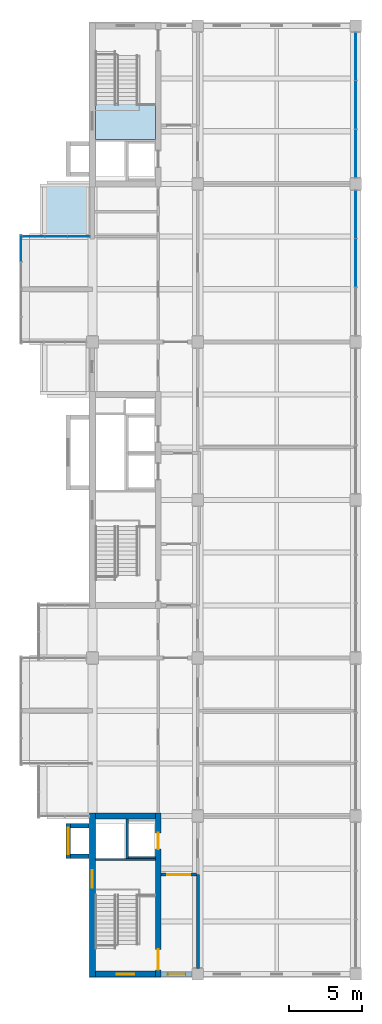
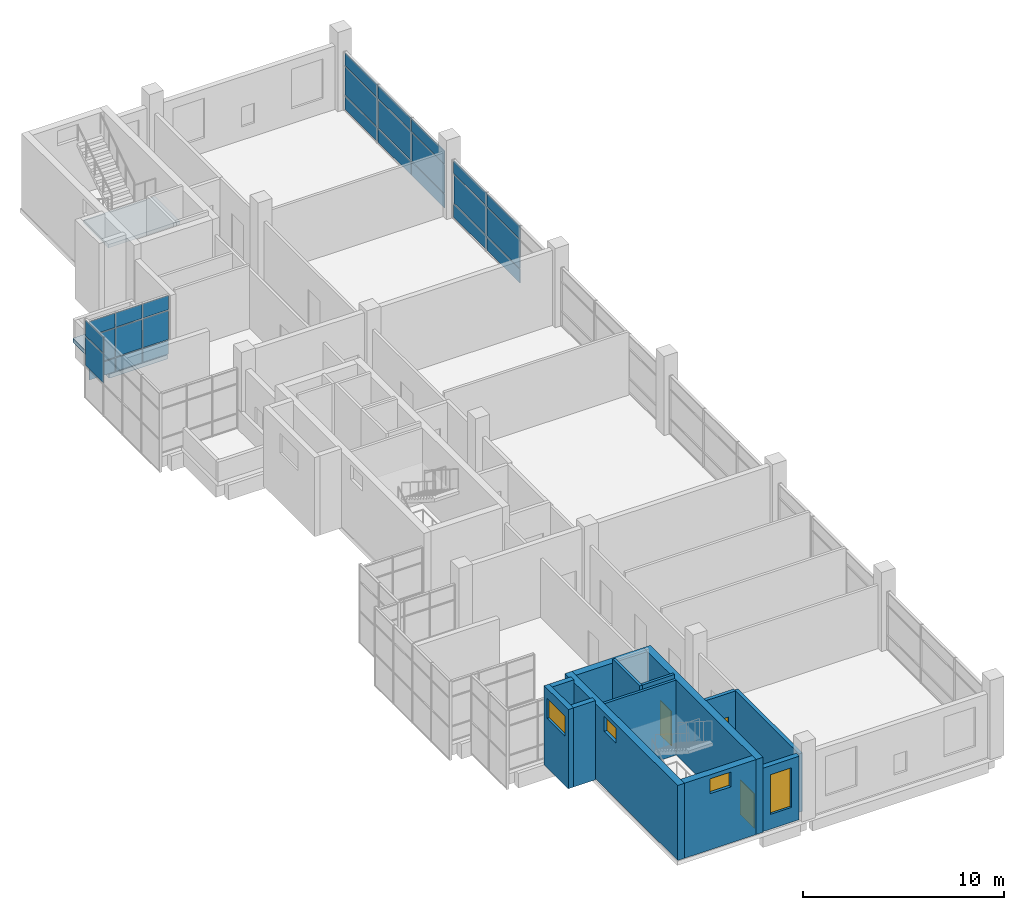
# One storey, part 10 of 14: 26 plates, 13 walls, 4 windows, 3 doors, 2 slabs, 7 openings, 5 elements without a shape of their own.
"""IFC4 building model written with IfcOpenShell, lengths in metres."""

from ifc_helpers import new_model, si_unit, direction, frame, frame_2d, origin, origin_2d, place, context, subcontext, project, spatial, polyline, rectangle, outline, extrude, material, layer, layer_set, type_object, element, fill, aggregate, save


model = new_model("IFC4")

# Units and contexts
model_context = context("Model", 3, precision=1e-05, world=origin(), true_north=direction((0.0, 1.0)))
body_context = subcontext(model_context, "Body", "Model", "MODEL_VIEW")
ifc_project = project(units=[si_unit("LENGTHUNIT", "METRE"), si_unit("AREAUNIT", "SQUARE_METRE"), si_unit("VOLUMEUNIT", "CUBIC_METRE"), si_unit("PLANEANGLEUNIT", "RADIAN"), si_unit("MASSUNIT", "GRAM", prefix="KILO")], contexts=[model_context])

# Site, building, storey
site_placement = place(None, origin())
site = spatial("IfcSite", under=ifc_project, at=site_placement, CompositionType="ELEMENT")
building_placement = place(site_placement, origin())
building = spatial("IfcBuilding", under=site, at=building_placement, Name="Basin Gate Institute", CompositionType="ELEMENT")
storey_placement = place(building_placement, frame((0.0, 0.0, 60.60009765625)))
storey = spatial("IfcBuildingStorey", under=building, at=storey_placement, Name="L12", CompositionType="ELEMENT", Elevation=60.60009765625)

# Slab
ifc_material_1 = material(Name="Concrete 40 MPa", Category="concrete")
ifc_layer_1 = layer(ifc_material_1, 0.25)
ifc_layer_set_1 = layer_set([ifc_layer_1], Name="Concrete 40 MPa")
slab_type_1 = type_object("IfcSlabType", Name="Slab RS4 R120", PredefinedType="ROOF", material=ifc_layer_set_1)
slab_1_placement = place(storey_placement, frame((0.0, 0.0, -0.25)))
element("IfcSlab", 1, at=slab_1_placement, inside=storey, type_object=slab_type_1, material=ifc_layer_set_1, Name="SLAB/L12/WK24", PredefinedType="ROOF", context=body_context, shape_type="SweptSolid", body=[
    extrude(outline(polyline([(57.60009765625, 85.5), (60.949951171875, 85.5), (60.949951171875, 89.10009765625), (57.60009765625, 89.10009765625), (57.60009765625, 85.5)])), origin(), (0.0, 0.0, 1.0), 0.25),
])

# Curtain wall, plates
ifc_material_2 = material(Name="Aluminium-framed glazing", Category="aluminium")
ifc_layer_2 = layer(ifc_material_2, 0.199951171875)
ifc_layer_set_2 = layer_set([ifc_layer_2], Name="Atrium curtain wall CW2")
curtain_wall_type_1 = type_object("IfcCurtainWallType", Name="Atrium curtain wall CW2", PredefinedType="NOTDEFINED", material=ifc_layer_set_2)
curtain_wall_1_placement = place(storey_placement, origin())
curtain_wall_1 = element("IfcCurtainWall", 2, at=curtain_wall_1_placement, inside=storey, type_object=curtain_wall_type_1, material=ifc_layer_set_2, Name="Atrium curtain wall W wing atrium bay 5 L12", PredefinedType="NOTDEFINED")
ifc_material_3 = material(Name="Aluminium insulated spandrel panel", Category="aluminium")
ifc_layer_3 = layer(ifc_material_3, 0.050048828125)
ifc_layer_set_3 = layer_set([ifc_layer_3], Name="Spandrel panel PN2")
plate_type_1 = type_object("IfcPlateType", Name="Spandrel panel PN2", PredefinedType="CURTAIN_PANEL", material=ifc_layer_set_3)
plate_1_placement = place(storey_placement, frame((79.199951171875, 83.699951171875, 0.059814453125), z_axis=(0.0, 0.0, 1.0), x_axis=(0.0, 1.0, 0.0)))
plate_1 = element("IfcPlate", 3, at=plate_1_placement, type_object=plate_type_1, material=ifc_layer_set_3, Name="CW2 spandrel panel 2.1", PredefinedType="CURTAIN_PANEL", context=body_context, shape_type="SweptSolid", body=[
    extrude(rectangle(XDim=3.2734375, YDim=0.050048828125, at=origin_2d()), origin(), (0.0, 0.0, 1.0), 0.81005859375),
])
plate_2_placement = place(storey_placement, frame((79.199951171875, 83.699951171875, 2.72998046875), z_axis=(0.0, 0.0, 1.0), x_axis=(0.0, 1.0, 0.0)))
plate_2 = element("IfcPlate", 4, at=plate_2_placement, type_object=plate_type_1, material=ifc_layer_set_3, Name="CW2 spandrel panel 2.3", PredefinedType="CURTAIN_PANEL", context=body_context, shape_type="SweptSolid", body=[
    extrude(rectangle(XDim=3.2734375, YDim=0.050048828125, at=origin_2d()), origin(), (0.0, 0.0, 1.0), 0.760009765625),
])
plate_3_placement = place(storey_placement, frame((79.199951171875, 87.018310546875, 0.059814453125), z_axis=(0.0, 0.0, 1.0), x_axis=(0.0, 1.0, 0.0)))
plate_3 = element("IfcPlate", 5, at=plate_3_placement, type_object=plate_type_1, material=ifc_layer_set_3, Name="CW2 spandrel panel 3.1", PredefinedType="CURTAIN_PANEL", context=body_context, shape_type="SweptSolid", body=[
    extrude(rectangle(XDim=3.243408203125, YDim=0.050048828125, at=origin_2d()), origin(), (0.0, 0.0, 1.0), 0.81005859375),
])
plate_4_placement = place(storey_placement, frame((79.199951171875, 87.018310546875, 2.72998046875), z_axis=(0.0, 0.0, 1.0), x_axis=(0.0, 1.0, 0.0)))
plate_4 = element("IfcPlate", 6, at=plate_4_placement, type_object=plate_type_1, material=ifc_layer_set_3, Name="CW2 spandrel panel 3.3", PredefinedType="CURTAIN_PANEL", context=body_context, shape_type="SweptSolid", body=[
    extrude(rectangle(XDim=3.243408203125, YDim=0.050048828125, at=origin_2d()), origin(), (0.0, 0.0, 1.0), 0.760009765625),
])

curtain_wall_2_placement = place(storey_placement, origin())
curtain_wall_2 = element("IfcCurtainWall", 7, at=curtain_wall_2_placement, inside=storey, type_object=curtain_wall_type_1, material=ifc_layer_set_2, Name="Atrium curtain wall W wing atrium bay 6 L12", PredefinedType="NOTDEFINED")
plate_5_placement = place(storey_placement, frame((79.199951171875, 91.181640625, 0.059814453125), z_axis=(0.0, 0.0, 1.0), x_axis=(0.0, 1.0, 0.0)))
plate_5 = element("IfcPlate", 8, at=plate_5_placement, type_object=plate_type_1, material=ifc_layer_set_3, Name="CW2 spandrel panel 1.1", PredefinedType="CURTAIN_PANEL", context=body_context, shape_type="SweptSolid", body=[
    extrude(rectangle(XDim=3.243408203125, YDim=0.050048828125, at=origin_2d()), origin(), (0.0, 0.0, 1.0), 0.81005859375),
])
plate_6_placement = place(storey_placement, frame((79.199951171875, 91.181640625, 2.72998046875), z_axis=(0.0, 0.0, 1.0), x_axis=(0.0, 1.0, 0.0)))
plate_6 = element("IfcPlate", 9, at=plate_6_placement, type_object=plate_type_1, material=ifc_layer_set_3, Name="CW2 spandrel panel 1.3", PredefinedType="CURTAIN_PANEL", context=body_context, shape_type="SweptSolid", body=[
    extrude(rectangle(XDim=3.243408203125, YDim=0.050048828125, at=origin_2d()), origin(), (0.0, 0.0, 1.0), 0.760009765625),
])
plate_7_placement = place(storey_placement, frame((79.199951171875, 94.5, 0.059814453125), z_axis=(0.0, 0.0, 1.0), x_axis=(0.0, 1.0, 0.0)))
plate_7 = element("IfcPlate", 10, at=plate_7_placement, type_object=plate_type_1, material=ifc_layer_set_3, Name="CW2 spandrel panel 2.1", PredefinedType="CURTAIN_PANEL", context=body_context, shape_type="SweptSolid", body=[
    extrude(rectangle(XDim=3.2734375, YDim=0.050048828125, at=origin_2d()), origin(), (0.0, 0.0, 1.0), 0.81005859375),
])
plate_8_placement = place(storey_placement, frame((79.199951171875, 94.5, 2.72998046875), z_axis=(0.0, 0.0, 1.0), x_axis=(0.0, 1.0, 0.0)))
plate_8 = element("IfcPlate", 11, at=plate_8_placement, type_object=plate_type_1, material=ifc_layer_set_3, Name="CW2 spandrel panel 2.3", PredefinedType="CURTAIN_PANEL", context=body_context, shape_type="SweptSolid", body=[
    extrude(rectangle(XDim=3.2734375, YDim=0.050048828125, at=origin_2d()), origin(), (0.0, 0.0, 1.0), 0.760009765625),
])
plate_9_placement = place(storey_placement, frame((79.199951171875, 97.818359375, 0.059814453125), z_axis=(0.0, 0.0, 1.0), x_axis=(0.0, 1.0, 0.0)))
plate_9 = element("IfcPlate", 12, at=plate_9_placement, type_object=plate_type_1, material=ifc_layer_set_3, Name="CW2 spandrel panel 3.1", PredefinedType="CURTAIN_PANEL", context=body_context, shape_type="SweptSolid", body=[
    extrude(rectangle(XDim=3.243408203125, YDim=0.050048828125, at=origin_2d()), origin(), (0.0, 0.0, 1.0), 0.81005859375),
])
plate_10_placement = place(storey_placement, frame((79.199951171875, 97.818359375, 2.72998046875), z_axis=(0.0, 0.0, 1.0), x_axis=(0.0, 1.0, 0.0)))
plate_10 = element("IfcPlate", 13, at=plate_10_placement, type_object=plate_type_1, material=ifc_layer_set_3, Name="CW2 spandrel panel 3.3", PredefinedType="CURTAIN_PANEL", context=body_context, shape_type="SweptSolid", body=[
    extrude(rectangle(XDim=3.243408203125, YDim=0.050048828125, at=origin_2d()), origin(), (0.0, 0.0, 1.0), 0.760009765625),
])

ifc_material_4 = material(Name="Aluminium-framed glazing", Category="aluminium")
ifc_layer_4 = layer(ifc_material_4, 0.14990234375)
ifc_layer_set_4 = layer_set([ifc_layer_4], Name="Capsule front curtain wall CW1")
curtain_wall_type_2 = type_object("IfcCurtainWallType", Name="Capsule front curtain wall CW1", PredefinedType="NOTDEFINED", material=ifc_layer_set_4)
curtain_wall_3_placement = place(storey_placement, origin())
curtain_wall_3 = element("IfcCurtainWall", 14, at=curtain_wall_3_placement, inside=storey, type_object=curtain_wall_type_2, material=ifc_layer_set_4, Name="Capsule front curtain wall W wing capsule end L12 line 15", PredefinedType="NOTDEFINED")
plate_11_placement = place(storey_placement, frame((57.1875, 85.5, 0.059814453125), z_axis=(0.0, 0.0, 1.0), x_axis=(1.0, 0.0, 0.0)))
plate_11 = element("IfcPlate", 15, at=plate_11_placement, type_object=plate_type_1, material=ifc_layer_set_3, Name="CW1 spandrel panel 1.1", PredefinedType="CURTAIN_PANEL", context=body_context, shape_type="SweptSolid", body=[
    extrude(rectangle(XDim=1.47509765625, YDim=0.050048828125, at=origin_2d()), origin(), (0.0, 0.0, 1.0), 0.81005859375),
])
plate_12_placement = place(storey_placement, frame((58.72509765625, 85.5, 0.059814453125), z_axis=(0.0, 0.0, 1.0), x_axis=(1.0, 0.0, 0.0)))
plate_12 = element("IfcPlate", 16, at=plate_12_placement, type_object=plate_type_1, material=ifc_layer_set_3, Name="CW1 spandrel panel 2.1", PredefinedType="CURTAIN_PANEL", context=body_context, shape_type="SweptSolid", body=[
    extrude(rectangle(XDim=1.5, YDim=0.050048828125, at=origin_2d()), origin(), (0.0, 0.0, 1.0), 0.81005859375),
])
plate_13_placement = place(storey_placement, frame((60.262451171875, 85.5, 0.059814453125), z_axis=(0.0, 0.0, 1.0), x_axis=(1.0, 0.0, 0.0)))
plate_13 = element("IfcPlate", 17, at=plate_13_placement, type_object=plate_type_1, material=ifc_layer_set_3, Name="CW1 spandrel panel 3.1", PredefinedType="CURTAIN_PANEL", context=body_context, shape_type="SweptSolid", body=[
    extrude(rectangle(XDim=1.47509765625, YDim=0.050048828125, at=origin_2d()), origin(), (0.0, 0.0, 1.0), 0.81005859375),
])

# Stair, slab
ifc_material_5 = material(Name="Concrete 40 MPa", Category="concrete")
stair_type = type_object("IfcStairType", Name="Stair ST", PredefinedType="HALF_TURN_STAIR", material=ifc_material_5)
stair_placement = place(storey_placement, origin())
stair = element("IfcStair", 18, at=stair_placement, inside=storey, type_object=stair_type, material=ifc_material_5, Name="Special safe stair ST-WN L12", PredefinedType="HALF_TURN_STAIR")
ifc_material_6 = material(Name="Concrete 40 MPa", Category="concrete")
ifc_layer_5 = layer(ifc_material_6, 0.199951171875)
ifc_layer_set_5 = layer_set([ifc_layer_5], Name="Concrete 40 MPa")
slab_type_2 = type_object("IfcSlabType", Name="Stair landing LN REI 120", PredefinedType="LANDING", material=ifc_layer_set_5)
slab_2_placement = place(storey_placement, frame((0.0, 0.0, 2.288818359375)))
slab_2 = element("IfcSlab", 19, at=slab_2_placement, type_object=slab_type_2, material=ifc_layer_set_5, Name="Stair landing ST-WN-L1 L12", PredefinedType="LANDING", context=body_context, shape_type="SweptSolid", body=[
    extrude(outline(polyline([(61.39990234375, 92.14990234375), (65.5, 92.14990234375), (65.5, 94.6298828125), (61.39990234375, 94.6298828125), (61.39990234375, 92.14990234375)])), origin(), (0.0, 0.0, 1.0), 0.199951171875),
])
aggregate(stair, [slab_2])

# Plate
ifc_material_7 = material(Name="Double glazed unit")
ifc_layer_6 = layer(ifc_material_7, 0.028076171875)
ifc_layer_set_6 = layer_set([ifc_layer_6], Name="Vision panel PN1")
plate_type_2 = type_object("IfcPlateType", Name="Vision panel PN1", PredefinedType="CURTAIN_PANEL", material=ifc_layer_set_6)
plate_14_placement = place(storey_placement, frame((79.199951171875, 83.699951171875, 0.9296875), z_axis=(0.0, 0.0, 1.0), x_axis=(0.0, 1.0, 0.0)))
plate_14 = element("IfcPlate", 20, at=plate_14_placement, type_object=plate_type_2, material=ifc_layer_set_6, Name="CW2 vision panel 2.2", PredefinedType="CURTAIN_PANEL", context=body_context, shape_type="SweptSolid", body=[
    extrude(rectangle(XDim=3.2734375, YDim=0.028076171875, at=origin_2d()), origin(), (0.0, 0.0, 1.0), 1.739990234375),
])

plate_15_placement = place(storey_placement, frame((79.199951171875, 87.018310546875, 0.9296875), z_axis=(0.0, 0.0, 1.0), x_axis=(0.0, 1.0, 0.0)))
plate_15 = element("IfcPlate", 21, at=plate_15_placement, type_object=plate_type_2, material=ifc_layer_set_6, Name="CW2 vision panel 3.2", PredefinedType="CURTAIN_PANEL", context=body_context, shape_type="SweptSolid", body=[
    extrude(rectangle(XDim=3.243408203125, YDim=0.028076171875, at=origin_2d()), origin(), (0.0, 0.0, 1.0), 1.739990234375),
])

aggregate(curtain_wall_1, [plate_1, plate_14, plate_2, plate_3, plate_15, plate_4])

plate_16_placement = place(storey_placement, frame((79.199951171875, 91.181640625, 0.9296875), z_axis=(0.0, 0.0, 1.0), x_axis=(0.0, 1.0, 0.0)))
plate_16 = element("IfcPlate", 22, at=plate_16_placement, type_object=plate_type_2, material=ifc_layer_set_6, Name="CW2 vision panel 1.2", PredefinedType="CURTAIN_PANEL", context=body_context, shape_type="SweptSolid", body=[
    extrude(rectangle(XDim=3.243408203125, YDim=0.028076171875, at=origin_2d()), origin(), (0.0, 0.0, 1.0), 1.739990234375),
])

plate_17_placement = place(storey_placement, frame((79.199951171875, 94.5, 0.9296875), z_axis=(0.0, 0.0, 1.0), x_axis=(0.0, 1.0, 0.0)))
plate_17 = element("IfcPlate", 23, at=plate_17_placement, type_object=plate_type_2, material=ifc_layer_set_6, Name="CW2 vision panel 2.2", PredefinedType="CURTAIN_PANEL", context=body_context, shape_type="SweptSolid", body=[
    extrude(rectangle(XDim=3.2734375, YDim=0.028076171875, at=origin_2d()), origin(), (0.0, 0.0, 1.0), 1.739990234375),
])

plate_18_placement = place(storey_placement, frame((79.199951171875, 97.818359375, 0.9296875), z_axis=(0.0, 0.0, 1.0), x_axis=(0.0, 1.0, 0.0)))
plate_18 = element("IfcPlate", 24, at=plate_18_placement, type_object=plate_type_2, material=ifc_layer_set_6, Name="CW2 vision panel 3.2", PredefinedType="CURTAIN_PANEL", context=body_context, shape_type="SweptSolid", body=[
    extrude(rectangle(XDim=3.243408203125, YDim=0.028076171875, at=origin_2d()), origin(), (0.0, 0.0, 1.0), 1.739990234375),
])

aggregate(curtain_wall_2, [plate_5, plate_16, plate_6, plate_7, plate_17, plate_8, plate_9, plate_18, plate_10])

plate_19_placement = place(storey_placement, frame((57.1875, 85.5, 0.9296875), z_axis=(0.0, 0.0, 1.0), x_axis=(1.0, 0.0, 0.0)))
plate_19 = element("IfcPlate", 25, at=plate_19_placement, type_object=plate_type_2, material=ifc_layer_set_6, Name="CW1 vision panel 1.2", PredefinedType="CURTAIN_PANEL", context=body_context, shape_type="SweptSolid", body=[
    extrude(rectangle(XDim=1.47509765625, YDim=0.028076171875, at=origin_2d()), origin(), (0.0, 0.0, 1.0), 1.739990234375),
])

plate_20_placement = place(storey_placement, frame((57.1875, 85.5, 2.72998046875), z_axis=(0.0, 0.0, 1.0), x_axis=(1.0, 0.0, 0.0)))
plate_20 = element("IfcPlate", 26, at=plate_20_placement, type_object=plate_type_2, material=ifc_layer_set_6, Name="CW1 vision panel 1.3", PredefinedType="CURTAIN_PANEL", context=body_context, shape_type="SweptSolid", body=[
    extrude(rectangle(XDim=1.47509765625, YDim=0.028076171875, at=origin_2d()), origin(), (0.0, 0.0, 1.0), 0.860107421875),
])

plate_21_placement = place(storey_placement, frame((58.72509765625, 85.5, 0.9296875), z_axis=(0.0, 0.0, 1.0), x_axis=(1.0, 0.0, 0.0)))
plate_21 = element("IfcPlate", 27, at=plate_21_placement, type_object=plate_type_2, material=ifc_layer_set_6, Name="CW1 vision panel 2.2", PredefinedType="CURTAIN_PANEL", context=body_context, shape_type="SweptSolid", body=[
    extrude(rectangle(XDim=1.5, YDim=0.028076171875, at=origin_2d()), origin(), (0.0, 0.0, 1.0), 1.739990234375),
])

plate_22_placement = place(storey_placement, frame((58.72509765625, 85.5, 2.72998046875), z_axis=(0.0, 0.0, 1.0), x_axis=(1.0, 0.0, 0.0)))
plate_22 = element("IfcPlate", 28, at=plate_22_placement, type_object=plate_type_2, material=ifc_layer_set_6, Name="CW1 vision panel 2.3", PredefinedType="CURTAIN_PANEL", context=body_context, shape_type="SweptSolid", body=[
    extrude(rectangle(XDim=1.5, YDim=0.028076171875, at=origin_2d()), origin(), (0.0, 0.0, 1.0), 0.860107421875),
])

plate_23_placement = place(storey_placement, frame((60.262451171875, 85.5, 0.9296875), z_axis=(0.0, 0.0, 1.0), x_axis=(1.0, 0.0, 0.0)))
plate_23 = element("IfcPlate", 29, at=plate_23_placement, type_object=plate_type_2, material=ifc_layer_set_6, Name="CW1 vision panel 3.2", PredefinedType="CURTAIN_PANEL", context=body_context, shape_type="SweptSolid", body=[
    extrude(rectangle(XDim=1.47509765625, YDim=0.028076171875, at=origin_2d()), origin(), (0.0, 0.0, 1.0), 1.739990234375),
])

plate_24_placement = place(storey_placement, frame((60.262451171875, 85.5, 2.72998046875), z_axis=(0.0, 0.0, 1.0), x_axis=(1.0, 0.0, 0.0)))
plate_24 = element("IfcPlate", 30, at=plate_24_placement, type_object=plate_type_2, material=ifc_layer_set_6, Name="CW1 vision panel 3.3", PredefinedType="CURTAIN_PANEL", context=body_context, shape_type="SweptSolid", body=[
    extrude(rectangle(XDim=1.47509765625, YDim=0.028076171875, at=origin_2d()), origin(), (0.0, 0.0, 1.0), 0.860107421875),
])

aggregate(curtain_wall_3, [plate_11, plate_19, plate_20, plate_12, plate_21, plate_22, plate_13, plate_23, plate_24])

# Curtain wall, plates
curtain_wall_4_placement = place(storey_placement, origin())
curtain_wall_4 = element("IfcCurtainWall", 31, at=curtain_wall_4_placement, inside=storey, type_object=curtain_wall_type_2, material=ifc_layer_set_4, Name="Capsule front curtain wall W wing capsule 2 L12 front 2", PredefinedType="NOTDEFINED")
plate_25_placement = place(storey_placement, frame((56.324951171875, 84.699951171875, 0.9296875), z_axis=(0.0, 0.0, 1.0), x_axis=(0.0, 1.0, 0.0)))
plate_25 = element("IfcPlate", 32, at=plate_25_placement, type_object=plate_type_2, material=ifc_layer_set_6, Name="CW1 vision panel 4.2", PredefinedType="CURTAIN_PANEL", context=body_context, shape_type="SweptSolid", body=[
    extrude(rectangle(XDim=1.800048828125, YDim=0.028076171875, at=origin_2d()), origin(), (0.0, 0.0, 1.0), 1.739990234375),
])
plate_26_placement = place(storey_placement, frame((56.324951171875, 84.699951171875, 2.72998046875), z_axis=(0.0, 0.0, 1.0), x_axis=(0.0, 1.0, 0.0)))
plate_26 = element("IfcPlate", 33, at=plate_26_placement, type_object=plate_type_2, material=ifc_layer_set_6, Name="CW1 vision panel 4.3", PredefinedType="CURTAIN_PANEL", context=body_context, shape_type="SweptSolid", body=[
    extrude(rectangle(XDim=1.800048828125, YDim=0.028076171875, at=origin_2d()), origin(), (0.0, 0.0, 1.0), 0.9599609375),
])
aggregate(curtain_wall_4, [plate_25, plate_26])

# Wall, opening, door
ifc_material_8 = material(Name="Fire-rated masonry", Category="masonry")
ifc_layer_7 = layer(ifc_material_8, 0.199951171875)
ifc_layer_set_7 = layer_set([ifc_layer_7], Name="Enclosure wall PW2 200 EI 60")
wall_type_1 = type_object("IfcWallType", Name="Enclosure wall PW2 200 EI 60", PredefinedType="PARTITIONING", material=ifc_layer_set_7)
wall_1_placement = place(storey_placement, frame((65.89990234375, 41.89990234375, 0.0), z_axis=(0.0, 0.0, 1.0), x_axis=(1.0, 0.0, 0.0)))
wall_1 = element("IfcWall", 34, at=wall_1_placement, inside=storey, type_object=wall_type_1, material=ifc_layer_set_7, Name="Smoke lobby enclosure wall PW2 L12", PredefinedType="PARTITIONING", context=body_context, shape_type="SweptSolid", body=[
    extrude(rectangle(XDim=2.400146484375, YDim=0.199951171875, at=frame_2d((1.2001953125, 0.0))), origin(), (0.0, 0.0, 1.0), 3.5498046875),
])
opening_1_placement = place(wall_1_placement, frame((0.39990234375, 0.0, 0.0)))
opening_1 = element("IfcOpeningElement", 35, at=opening_1_placement, cuts=wall_1, Name="Opening DR499", PredefinedType="OPENING", context=body_context, shape_type="SweptSolid", body=[
    extrude(rectangle(XDim=1.60009765625, YDim=2.10009765625, at=frame_2d((0.800048828125, 1.050048828125))), frame((0.0, 0.10986328125, 0.0), z_axis=(0.0, -1.0, 0.0), x_axis=(1.0, 0.0, 0.0)), (0.0, 0.0, 1.0), 0.219970703125),
])
ifc_material_9 = material(Name="Steel fire door", Category="steel")
door_type_1 = type_object("IfcDoorType", Name="FD60 Smoke lobby door pair D8", OperationType="DOUBLE_DOOR_SINGLE_SWING", PredefinedType="DOOR", material=ifc_material_9)
door_1_placement = place(opening_1_placement, frame((1.60009765625, 0.0, 0.0), z_axis=(0.0, 0.0, 1.0), x_axis=(-1.0, 0.0, 0.0)))
door_1 = element("IfcDoor", 36, at=door_1_placement, inside=storey, type_object=door_type_1, material=ifc_material_9, Name="Smoke lobby door SS1 L12", OperationType="DOUBLE_DOOR_SINGLE_SWING", OverallHeight=2.10009765625, OverallWidth=1.60009765625, PredefinedType="DOOR", context=body_context, shape_type="SweptSolid", body=[
    extrude(rectangle(XDim=1.60009765625, YDim=2.10009765625, at=frame_2d((0.800048828125, 1.050048828125))), frame((0.0, 0.02490234375, 0.0), z_axis=(0.0, -1.0, 0.0), x_axis=(1.0, 0.0, 0.0)), (0.0, 0.0, 1.0), 0.050048828125),
])
fill(opening_1, door_1)

# Wall
wall_2_placement = place(storey_placement, frame((68.39990234375, 35.5, 0.0), z_axis=(0.0, 0.0, 1.0), x_axis=(0.0, 1.0, 0.0)))
element("IfcWall", 37, at=wall_2_placement, inside=storey, type_object=wall_type_1, material=ifc_layer_set_7, Name="Smoke lobby enclosure wall PW2 L12", PredefinedType="PARTITIONING", context=body_context, shape_type="SweptSolid", body=[
    extrude(rectangle(XDim=6.39990234375, YDim=0.199951171875, at=frame_2d((3.199951171875, 0.0))), origin(), (0.0, 0.0, 1.0), 3.5498046875),
])

# Wall, opening, window
ifc_material_10 = material(Name="Aluminium-faced insulated panel wall", Category="aluminium")
ifc_layer_8 = layer(ifc_material_10, 0.300048828125)
ifc_layer_set_8 = layer_set([ifc_layer_8], Name="External wall EW1 EI 120")
wall_type_2 = type_object("IfcWallType", Name="External wall EW1 EI 120", PredefinedType="STANDARD", material=ifc_layer_set_8)
wall_3_placement = place(storey_placement, frame((65.89990234375, 35.10009765625, 0.0), z_axis=(0.0, 0.0, 1.0), x_axis=(1.0, 0.0, 0.0)))
wall_3 = element("IfcWall", 38, at=wall_3_placement, inside=storey, type_object=wall_type_2, material=ifc_layer_set_8, Name="External end wall W wing south L12 1", PredefinedType="STANDARD", context=body_context, shape_type="SweptSolid", body=[
    extrude(rectangle(XDim=2.10009765625, YDim=0.300048828125, at=frame_2d((1.050048828125, 0.0))), origin(), (0.0, 0.0, 1.0), 3.849853515625),
])
opening_2_placement = place(wall_3_placement, frame((0.449951171875, 0.0, 0.89990234375)))
opening_2 = element("IfcOpeningElement", 39, at=opening_2_placement, cuts=wall_3, Name="Opening WN4", PredefinedType="OPENING", context=body_context, shape_type="SweptSolid", body=[
    extrude(rectangle(XDim=1.199951171875, YDim=2.39990234375, at=frame_2d((0.60009765625, 1.199951171875))), frame((0.0, 0.16015625, 0.0), z_axis=(0.0, -1.0, 0.0), x_axis=(1.0, 0.0, 0.0)), (0.0, 0.0, 1.0), 0.320068359375),
])
ifc_material_11 = material(Name="Aluminium-framed double glazing", Category="aluminium")
window_type_1 = type_object("IfcWindowType", Name="Corridor end window WN4", PartitioningType="SINGLE_PANEL", PredefinedType="WINDOW", material=ifc_material_11)
window_1_placement = place(opening_2_placement, origin())
window_1 = element("IfcWindow", 40, at=window_1_placement, inside=storey, type_object=window_type_1, material=ifc_material_11, Name="Corridor end window W wing S L12", OverallHeight=2.39990234375, OverallWidth=1.199951171875, PartitioningType="SINGLE_PANEL", PredefinedType="WINDOW", context=body_context, shape_type="SweptSolid", body=[
    extrude(rectangle(XDim=1.199951171875, YDim=2.39990234375, at=frame_2d((0.60009765625, 1.199951171875))), frame((0.0, 0.030029296875, 0.0), z_axis=(0.0, -1.0, 0.0), x_axis=(1.0, 0.0, 0.0)), (0.0, 0.0, 1.0), 0.06005859375),
])
fill(opening_2, window_1)

# Walls
ifc_material_12 = material(Name="Concrete 40 MPa", Category="concrete")
ifc_layer_9 = layer(ifc_material_12, 0.14990234375)
ifc_layer_set_9 = layer_set([ifc_layer_9], Name="Concrete 40 MPa")
wall_type_3 = type_object("IfcWallType", Name="Wall LS1 lift shaft enclosure R120", PredefinedType="SOLIDWALL", material=ifc_layer_set_9)
wall_4_placement = place(storey_placement, frame((63.574951171875, 43.0, 0.0), z_axis=(0.0, 0.0, 1.0), x_axis=(0.0, 1.0, 0.0)))
element("IfcWall", 41, at=wall_4_placement, inside=storey, type_object=wall_type_3, material=ifc_layer_set_9, Name="Lift shaft enclosure LP1 L12 UL", PredefinedType="SOLIDWALL", context=body_context, shape_type="SweptSolid", body=[
    extrude(rectangle(XDim=2.699951171875, YDim=0.14990234375, at=frame_2d((1.35009765625, 0.0))), origin(), (0.0, 0.0, 1.0), 4.7998046875),
])
wall_5_placement = place(storey_placement, frame((63.64990234375, 43.074951171875, 0.0), z_axis=(0.0, 0.0, 1.0), x_axis=(1.0, 0.0, 0.0)))
element("IfcWall", 42, at=wall_5_placement, inside=storey, type_object=wall_type_3, material=ifc_layer_set_9, Name="Lift shaft enclosure LP1 L12 RL", PredefinedType="SOLIDWALL", context=body_context, shape_type="SweptSolid", body=[
    extrude(rectangle(XDim=1.85009765625, YDim=0.14990234375, at=frame_2d((0.925048828125, 0.0))), origin(), (0.0, 0.0, 1.0), 4.7998046875),
])
ifc_material_13 = material(Name="Concrete 40 MPa", Category="concrete")
ifc_layer_10 = layer(ifc_material_13, 0.14990234375)
ifc_layer_set_10 = layer_set([ifc_layer_10], Name="Concrete 40 MPa")
wall_type_4 = type_object("IfcWallType", Name="Wall SE1 stair enclosure R120", PredefinedType="SOLIDWALL", material=ifc_layer_set_10)
wall_6_placement = place(storey_placement, frame((61.39990234375, 42.925048828125, 0.0), z_axis=(0.0, 0.0, 1.0), x_axis=(1.0, 0.0, 0.0)))
element("IfcWall", 43, at=wall_6_placement, inside=storey, type_object=wall_type_4, material=ifc_layer_set_10, Name="Stair enclosure wall ST-WS L12", PredefinedType="SOLIDWALL", context=body_context, shape_type="SweptSolid", body=[
    extrude(rectangle(XDim=4.10009765625, YDim=0.14990234375, at=frame_2d((2.050048828125, 0.0))), origin(), (0.0, 0.0, 1.0), 4.5498046875),
])

# Wall, opening, window
ifc_material_14 = material(Name="Concrete 50 MPa", Category="concrete")
ifc_layer_11 = layer(ifc_material_14, 0.300048828125)
ifc_layer_set_11 = layer_set([ifc_layer_11], Name="Concrete 50 MPa")
wall_type_5 = type_object("IfcWallType", Name="Wall SK1 R120", PredefinedType="SHEAR", material=ifc_layer_set_11)
wall_7_placement = place(storey_placement, frame((59.550048828125, 43.0, 0.0), z_axis=(0.0, 0.0, 1.0), x_axis=(0.0, 1.0, 0.0)))
wall_7 = element("IfcWall", 44, at=wall_7_placement, inside=storey, type_object=wall_type_5, material=ifc_layer_set_11, Name="Spine riser stack wall SK1 WS F L12", PredefinedType="SHEAR", context=body_context, shape_type="SweptSolid", body=[
    extrude(rectangle(XDim=2.39990234375, YDim=0.300048828125, at=frame_2d((1.199951171875, 0.0))), origin(), (0.0, 0.0, 1.0), 4.7998046875),
])
opening_3_placement = place(wall_7_placement, frame((0.300048828125, 0.0, 3.0)))
opening_3 = element("IfcOpeningElement", 45, at=opening_3_placement, cuts=wall_7, Name="Opening WL2", PredefinedType="OPENING", context=body_context, shape_type="SweptSolid", body=[
    extrude(rectangle(XDim=1.800048828125, YDim=1.199951171875, at=frame_2d((0.89990234375, 0.60009765625))), frame((0.0, 0.16015625, 0.0), z_axis=(0.0, -1.0, 0.0), x_axis=(1.0, 0.0, 0.0)), (0.0, 0.0, 1.0), 0.320068359375),
])
ifc_material_15 = material(Name="Aluminium louvre blades with fire damper", Category="aluminium")
window_type_2 = type_object("IfcWindowType", Name="Riser louvre EI 120 WL2", PartitioningType="SINGLE_PANEL", PredefinedType="WINDOW", material=ifc_material_15)
window_2_placement = place(opening_3_placement, origin())
window_2 = element("IfcWindow", 46, at=window_2_placement, inside=storey, type_object=window_type_2, material=ifc_material_15, Name="Riser louvre EI 120 WS riser 1 L12", OverallHeight=1.199951171875, OverallWidth=1.800048828125, PartitioningType="SINGLE_PANEL", PredefinedType="WINDOW", context=body_context, shape_type="SweptSolid", body=[
    extrude(rectangle(XDim=1.800048828125, YDim=1.199951171875, at=frame_2d((0.89990234375, 0.60009765625))), frame((0.0, 0.030029296875, 0.0), z_axis=(0.0, -1.0, 0.0), x_axis=(1.0, 0.0, 0.0)), (0.0, 0.0, 1.0), 0.06005859375),
])
fill(opening_3, window_2)

# Walls
for number, where, z_axis, x_axis, name in (
    (47, (60.949951171875, 43.14990234375, 0.0), (0.0, 0.0, 1.0), (-1.0, 0.0, 0.0), "Spine riser stack wall SK1 WS A L12"),
    (48, (60.949951171875, 45.25, 0.0), (0.0, 0.0, 1.0), (-1.0, 0.0, 0.0), "Spine riser stack wall SK1 WS B L12"),
):
    element("IfcWall", number, at=place(storey_placement, frame(where, z_axis=z_axis, x_axis=x_axis)), inside=storey, type_object=wall_type_5, material=ifc_layer_set_11, Name=name, PredefinedType="SHEAR", context=body_context, shape_type="SweptSolid", body=[
        extrude(rectangle(XDim=1.25, YDim=0.300048828125, at=frame_2d((0.625, 0.0))), origin(), (0.0, 0.0, 1.0), 4.7998046875),
    ])

# Wall, opening, window
ifc_material_16 = material(Name="Concrete 50 MPa", Category="concrete")
ifc_layer_12 = layer(ifc_material_16, 0.39990234375)
ifc_layer_set_12 = layer_set([ifc_layer_12], Name="Concrete 50 MPa")
wall_type_6 = type_object("IfcWallType", Name="Wall SW2 R120", PredefinedType="SHEAR", material=ifc_layer_set_12)
wall_8_placement = place(storey_placement, frame((61.199951171875, 34.89990234375, 0.0), z_axis=(0.0, 0.0, 1.0), x_axis=(0.0, 1.0, 0.0)))
wall_8 = element("IfcWall", 49, at=wall_8_placement, inside=storey, type_object=wall_type_6, material=ifc_layer_set_12, Name="WALL/L12/WS/L", PredefinedType="SHEAR", context=body_context, shape_type="SweptSolid", body=[
    extrude(rectangle(XDim=11.2001953125, YDim=0.39990234375, at=frame_2d((5.60009765625, 0.0))), origin(), (0.0, 0.0, 1.0), 4.5498046875),
])
opening_4_placement = place(wall_8_placement, frame((6.110107421875, 0.0, 3.39990234375)))
opening_4 = element("IfcOpeningElement", 50, at=opening_4_placement, cuts=wall_8, Name="Opening WT2", PredefinedType="OPENING", context=body_context, shape_type="SweptSolid", body=[
    extrude(rectangle(XDim=1.199951171875, YDim=0.89990234375, at=frame_2d((0.60009765625, 0.449951171875))), frame((0.0, 0.2099609375, 0.0), z_axis=(0.0, -1.0, 0.0), x_axis=(1.0, 0.0, 0.0)), (0.0, 0.0, 1.0), 0.419921875),
])
ifc_material_17 = material(Name="Fire-resistant glazing in steel-free frame", Category="steel")
window_type_3 = type_object("IfcWindowType", Name="Rated stair window EI 120 WT2", PartitioningType="SINGLE_PANEL", PredefinedType="WINDOW", material=ifc_material_17)
window_3_placement = place(opening_4_placement, origin())
window_3 = element("IfcWindow", 51, at=window_3_placement, inside=storey, type_object=window_type_3, material=ifc_material_17, Name="Rated stair window EI 120 WS landing L12", OverallHeight=0.89990234375, OverallWidth=1.199951171875, PartitioningType="SINGLE_PANEL", PredefinedType="WINDOW", context=body_context, shape_type="SweptSolid", body=[
    extrude(rectangle(XDim=1.199951171875, YDim=0.89990234375, at=frame_2d((0.60009765625, 0.449951171875))), frame((0.0, 0.030029296875, 0.0), z_axis=(0.0, -1.0, 0.0), x_axis=(1.0, 0.0, 0.0)), (0.0, 0.0, 1.0), 0.06005859375),
])
fill(opening_4, window_3)

# Wall, openings, doors
wall_9_placement = place(storey_placement, frame((65.699951171875, 34.89990234375, 0.0), z_axis=(0.0, 0.0, 1.0), x_axis=(0.0, 1.0, 0.0)))
wall_9 = element("IfcWall", 52, at=wall_9_placement, inside=storey, type_object=wall_type_6, material=ifc_layer_set_12, Name="WALL/L12/WS/C", PredefinedType="SHEAR", context=body_context, shape_type="SweptSolid", body=[
    extrude(rectangle(XDim=11.2001953125, YDim=0.39990234375, at=frame_2d((5.60009765625, 0.0))), origin(), (0.0, 0.0, 1.0), 4.5498046875),
])
opening_5_placement = place(wall_9_placement, frame((0.5, 0.0, 0.0)))
opening_5 = element("IfcOpeningElement", 53, at=opening_5_placement, cuts=wall_9, Name="Opening DS064", PredefinedType="OPENING", context=body_context, shape_type="SweptSolid", body=[
    extrude(rectangle(XDim=1.39990234375, YDim=2.10009765625, at=frame_2d((0.699951171875, 1.050048828125))), frame((0.0, 0.2099609375, 0.0), z_axis=(0.0, -1.0, 0.0), x_axis=(1.0, 0.0, 0.0)), (0.0, 0.0, 1.0), 0.419921875),
])
opening_6_placement = place(wall_9_placement, frame((8.75, 0.0, 0.0)))
opening_6 = element("IfcOpeningElement", 54, at=opening_6_placement, cuts=wall_9, Name="Opening LD015", PredefinedType="OPENING", context=body_context, shape_type="SweptSolid", body=[
    extrude(rectangle(XDim=1.10009765625, YDim=2.10009765625, at=frame_2d((0.550048828125, 1.050048828125))), frame((0.0, 0.2099609375, 0.0), z_axis=(0.0, -1.0, 0.0), x_axis=(1.0, 0.0, 0.0)), (0.0, 0.0, 1.0), 0.419921875),
])
ifc_material_18 = material(Name="Steel fire door", Category="steel")
door_type_2 = type_object("IfcDoorType", Name="FD30 Stair enclosure door DS", OperationType="DOUBLE_DOOR_SINGLE_SWING", PredefinedType="DOOR", material=ifc_material_18)
door_2_placement = place(opening_5_placement, origin())
door_2 = element("IfcDoor", 55, at=door_2_placement, inside=storey, type_object=door_type_2, material=ifc_material_18, Name="Stair enclosure door ST-WS L12", OperationType="DOUBLE_DOOR_SINGLE_SWING", OverallHeight=2.10009765625, OverallWidth=1.39990234375, PredefinedType="DOOR", context=body_context, shape_type="SweptSolid", body=[
    extrude(rectangle(XDim=1.39990234375, YDim=2.10009765625, at=frame_2d((0.699951171875, 1.050048828125))), frame((0.0, 0.02490234375, 0.0), z_axis=(0.0, -1.0, 0.0), x_axis=(1.0, 0.0, 0.0)), (0.0, 0.0, 1.0), 0.050048828125),
])
fill(opening_5, door_2)
ifc_material_19 = material(Name="Stainless steel", Category="steel")
door_type_3 = type_object("IfcDoorType", Name="FD60 Lift landing door LD", OperationType="SLIDING_TO_LEFT", PredefinedType="DOOR", material=ifc_material_19)
door_3_placement = place(opening_6_placement, origin())
door_3 = element("IfcDoor", 56, at=door_3_placement, inside=storey, type_object=door_type_3, material=ifc_material_19, Name="Lift landing door LP1 L12", OperationType="SLIDING_TO_LEFT", OverallHeight=2.10009765625, OverallWidth=1.10009765625, PredefinedType="DOOR", context=body_context, shape_type="SweptSolid", body=[
    extrude(rectangle(XDim=1.10009765625, YDim=2.10009765625, at=frame_2d((0.550048828125, 1.050048828125))), frame((0.0, 0.02490234375, 0.0), z_axis=(0.0, -1.0, 0.0), x_axis=(1.0, 0.0, 0.0)), (0.0, 0.0, 1.0), 0.050048828125),
])
fill(opening_6, door_3)

# Wall, opening, window
wall_10_placement = place(storey_placement, frame((61.39990234375, 35.10009765625, 0.0), z_axis=(0.0, 0.0, 1.0), x_axis=(1.0, 0.0, 0.0)))
wall_10 = element("IfcWall", 57, at=wall_10_placement, inside=storey, type_object=wall_type_6, material=ifc_layer_set_12, Name="WALL/L12/WS/S", PredefinedType="SHEAR", context=body_context, shape_type="SweptSolid", body=[
    extrude(rectangle(XDim=4.10009765625, YDim=0.39990234375, at=frame_2d((2.050048828125, 0.0))), origin(), (0.0, 0.0, 1.0), 4.5498046875),
])
opening_7_placement = place(wall_10_placement, frame((1.449951171875, 0.0, 3.39990234375)))
opening_7 = element("IfcOpeningElement", 58, at=opening_7_placement, cuts=wall_10, Name="Opening WT2", PredefinedType="OPENING", context=body_context, shape_type="SweptSolid", body=[
    extrude(rectangle(XDim=1.199951171875, YDim=0.89990234375, at=frame_2d((0.60009765625, 0.449951171875))), frame((0.0, 0.2099609375, 0.0), z_axis=(0.0, -1.0, 0.0), x_axis=(1.0, 0.0, 0.0)), (0.0, 0.0, 1.0), 0.419921875),
])
window_4_placement = place(opening_7_placement, origin())
window_4 = element("IfcWindow", 59, at=window_4_placement, inside=storey, type_object=window_type_3, material=ifc_material_17, Name="Rated stair window EI 120 WS end L12", OverallHeight=0.89990234375, OverallWidth=1.199951171875, PartitioningType="SINGLE_PANEL", PredefinedType="WINDOW", context=body_context, shape_type="SweptSolid", body=[
    extrude(rectangle(XDim=1.199951171875, YDim=0.89990234375, at=frame_2d((0.60009765625, 0.449951171875))), frame((0.0, 0.030029296875, 0.0), z_axis=(0.0, -1.0, 0.0), x_axis=(1.0, 0.0, 0.0)), (0.0, 0.0, 1.0), 0.06005859375),
])
fill(opening_7, window_4)

# Wall
wall_11_placement = place(storey_placement, frame((61.39990234375, 45.89990234375, 0.0), z_axis=(0.0, 0.0, 1.0), x_axis=(1.0, 0.0, 0.0)))
element("IfcWall", 60, at=wall_11_placement, inside=storey, type_object=wall_type_6, material=ifc_layer_set_12, Name="WALL/L12/WS/N", PredefinedType="SHEAR", context=body_context, shape_type="SweptSolid", body=[
    extrude(rectangle(XDim=4.10009765625, YDim=0.39990234375, at=frame_2d((2.050048828125, 0.0))), origin(), (0.0, 0.0, 1.0), 4.5498046875),
])

save(model, "model.ifc")
